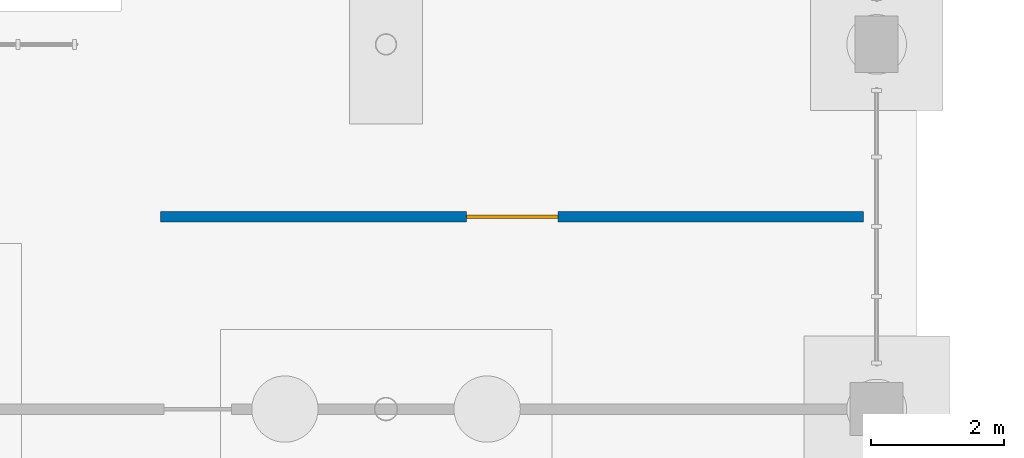
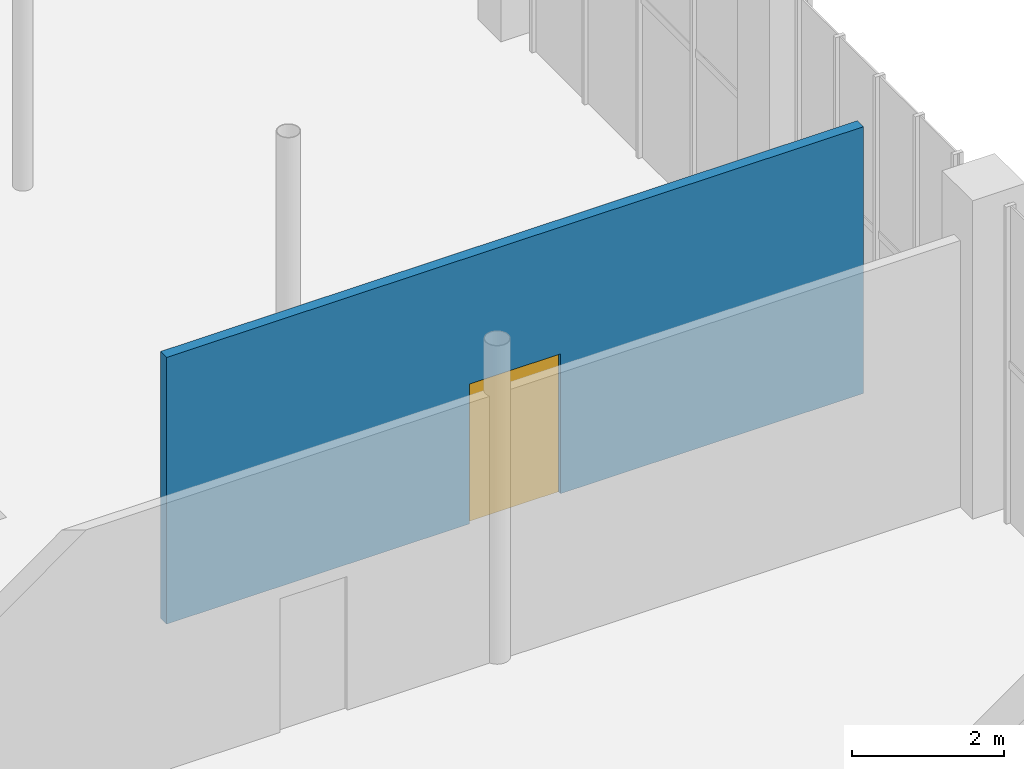
# One storey, part 74 of 87: 1 door, 1 wall, 1 opening.
"""IFC4 building model written with IfcOpenShell, lengths in metres."""

from ifc_helpers import new_model, si_unit, direction, frame, frame_2d, origin, place, context, subcontext, project, spatial, rectangle, extrude, material, layer, layer_set, type_object, element, fill, save


model = new_model("IFC4")

# Units and contexts
model_context = context("Model", 3, precision=1e-05, world=origin(), true_north=direction((0.0, 1.0)))
body_context = subcontext(model_context, "Body", "Model", "MODEL_VIEW")
ifc_project = project(units=[si_unit("LENGTHUNIT", "METRE"), si_unit("AREAUNIT", "SQUARE_METRE"), si_unit("VOLUMEUNIT", "CUBIC_METRE"), si_unit("PLANEANGLEUNIT", "RADIAN"), si_unit("MASSUNIT", "GRAM", prefix="KILO")], contexts=[model_context])

# Site, building, storey
site_placement = place(None, origin())
site = spatial("IfcSite", under=ifc_project, at=site_placement, CompositionType="ELEMENT")
building_placement = place(site_placement, origin())
building = spatial("IfcBuilding", under=site, at=building_placement, Name="Brisemont Oceanarium", CompositionType="ELEMENT")
storey_placement = place(building_placement, origin())
storey = spatial("IfcBuildingStorey", under=building, at=storey_placement, Name="L00", CompositionType="ELEMENT", Elevation=0.0)

# Wall, opening, door
ifc_material_1 = material(Name="Moisture-Resistant Gypsum Steel-Stud Partition", Category="steel")
ifc_layer = layer(ifc_material_1, 0.159912109375)
ifc_layer_set = layer_set([ifc_layer], Name="Moisture-Resistant Gypsum Steel-Stud Partition")
wall_type = type_object("IfcWallType", Name="IW-FB-160", PredefinedType="PARTITIONING", material=ifc_layer_set)
wall_placement = place(storey_placement, frame((148.60009765625, 90.89990234375, 0.0), z_axis=(0.0, 0.0, 1.0), x_axis=(1.0, 0.0, 0.0)))
wall = element("IfcWall", 1, at=wall_placement, inside=storey, type_object=wall_type, Name="Veterinary Pathology and Quarantine Lab corridor partition", PredefinedType="PARTITIONING", context=body_context, shape_type="SweptSolid", body=[
    extrude(rectangle(XDim=10.599853515625, YDim=0.159912109375, at=frame_2d((5.2998046875, 0.0))), origin(), (0.0, 0.0, 1.0), 4.2900390625),
])
opening_placement = place(wall_placement, frame((4.610107421875, 0.0, 0.0)))
opening = element("IfcOpeningElement", 2, at=opening_placement, cuts=wall, Name="Opening PD-01", PredefinedType="OPENING", context=body_context, shape_type="SweptSolid", body=[
    extrude(rectangle(XDim=1.3798828125, YDim=2.25, at=frame_2d((0.68994140625, 1.125))), frame((0.0, 0.08984375, 0.0), z_axis=(0.0, -1.0, 0.0), x_axis=(1.0, 0.0, 0.0)), (0.0, 0.0, 1.0), 0.179931640625),
])
ifc_material_2 = material(Name="Duplex Stainless Steel EN 1.4462", Category="steel")
door_type = type_object("IfcDoorType", Name="DR-PLT-1380X2250", OperationType="NOTDEFINED", PredefinedType="DOOR", material=ifc_material_2)
door_placement = place(opening_placement, origin())
door = element("IfcDoor", 3, at=door_placement, inside=storey, type_object=door_type, Name="PD-01 door to Veterinary Pathology and Quarantine Lab", OperationType="SINGLE_SWING_LEFT", OverallHeight=2.25, OverallWidth=1.3798828125, PredefinedType="DOOR", context=body_context, shape_type="SweptSolid", body=[
    extrude(rectangle(XDim=1.3798828125, YDim=2.25, at=frame_2d((0.68994140625, 1.125))), frame((0.0, 0.02490234375, 0.0), z_axis=(0.0, -1.0, 0.0), x_axis=(1.0, 0.0, 0.0)), (0.0, 0.0, 1.0), 0.050048828125),
])
fill(opening, door)

save(model, "model.ifc")
